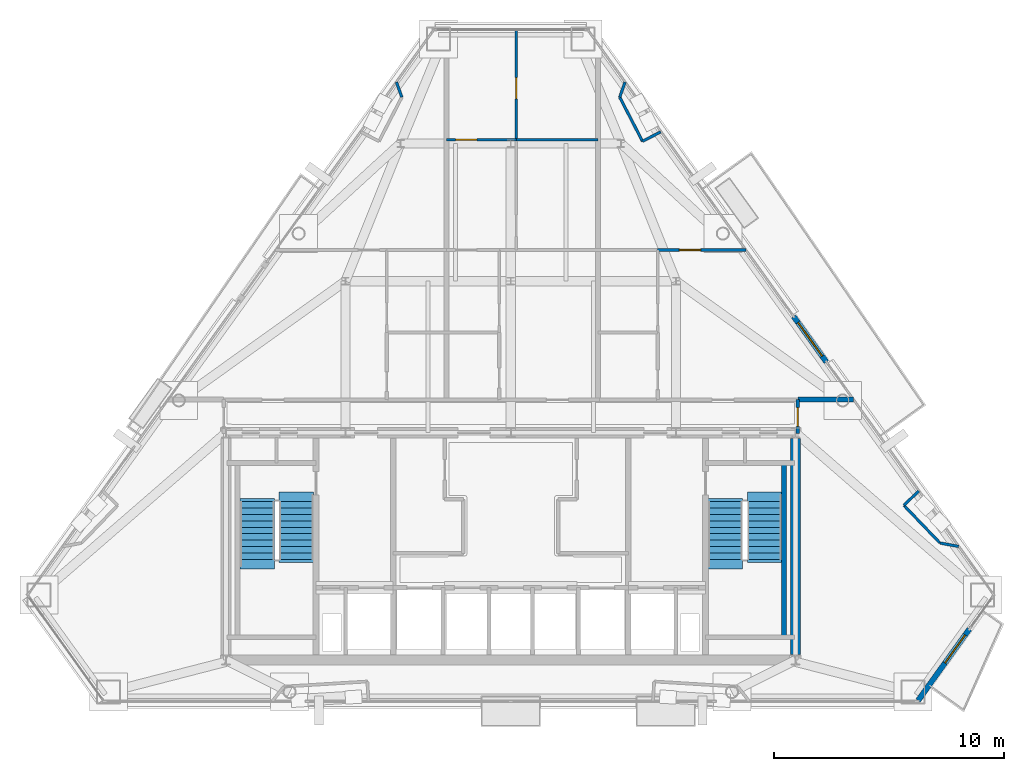
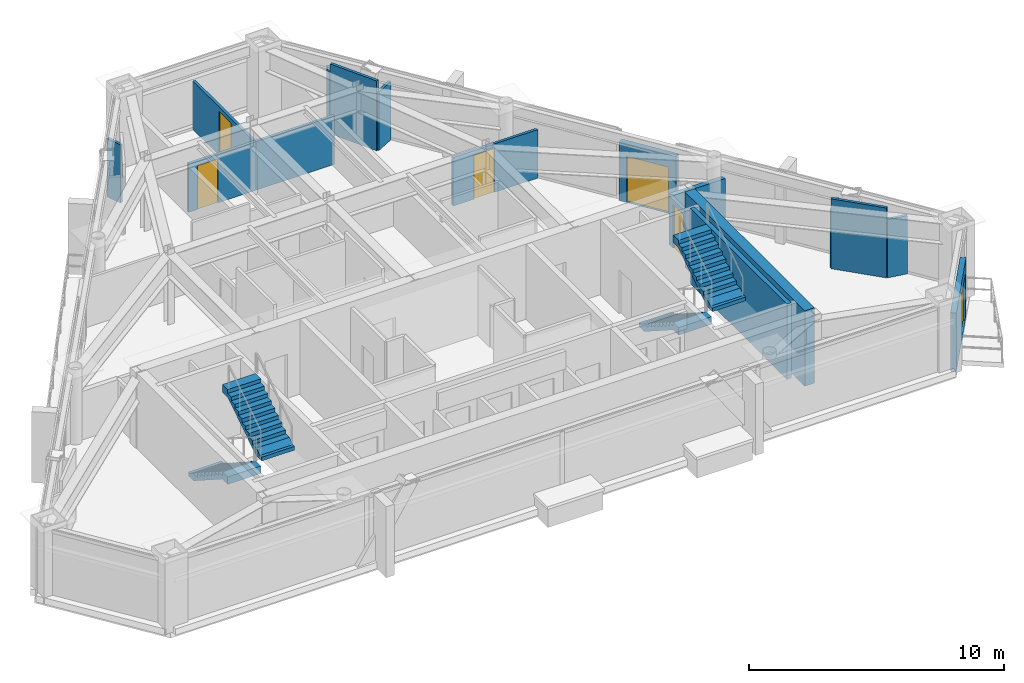
# One storey, part 9 of 11: 17 walls, 6 doors, 4 stair flights, 6 openings, 2 elements without a shape of their own.
"""IFC4 building model written with IfcOpenShell, lengths in metres."""

from ifc_helpers import new_model, si_unit, direction, frame, frame_2d, origin, place, context, subcontext, project, spatial, polyline, rectangle, outline, extrude, material, layer, layer_set, type_object, element, fill, aggregate, save


model = new_model("IFC4")

# Units and contexts
model_context = context("Model", 3, precision=1e-05, world=origin(), true_north=direction((0.0, 1.0)))
body_context = subcontext(model_context, "Body", "Model", "MODEL_VIEW")
ifc_project = project(units=[si_unit("LENGTHUNIT", "METRE"), si_unit("AREAUNIT", "SQUARE_METRE"), si_unit("VOLUMEUNIT", "CUBIC_METRE"), si_unit("PLANEANGLEUNIT", "RADIAN"), si_unit("MASSUNIT", "GRAM", prefix="KILO")], contexts=[model_context])

# Site, building, storey
site_placement = place(None, origin())
site = spatial("IfcSite", under=ifc_project, at=site_placement, CompositionType="ELEMENT")
building_placement = place(site_placement, origin())
building = spatial("IfcBuilding", under=site, at=building_placement, Name="Talgorran Terracotta Tower", CompositionType="ELEMENT")
storey_placement = place(building_placement, frame((0.0, 0.0, 214.5)))
storey = spatial("IfcBuildingStorey", under=building, at=storey_placement, Name="L56", CompositionType="ELEMENT", Elevation=214.5)

# Wall, opening, door
ifc_material_1 = material(Name="Concrete C40/50", Category="concrete")
ifc_layer_1 = layer(ifc_material_1, 0.239990234375, Name="WT_BALCONY_SPAND")
ifc_layer_set_1 = layer_set([ifc_layer_1], Name="Concrete C40/50")
wall_type_1 = type_object("IfcWallType", Name="WT_BALCONY_SPAND", PredefinedType="STANDARD", material=ifc_layer_set_1)
wall_1_placement = place(storey_placement, frame((13.747314453125, -1.119873046875, -0.014892578125), z_axis=(0.0, 0.0, 1.0), x_axis=(-0.58349791381, 0.812114637585, 0.0)))
wall_1 = element("IfcWall", 1, at=wall_1_placement, inside=storey, type_object=wall_type_1, Name="WL-L56-BALP-BAL-NE", PredefinedType="STANDARD", context=body_context, shape_type="SweptSolid", body=[
    extrude(rectangle(XDim=2.440185546875, YDim=0.239990234375, at=frame_2d((1.22021484375, 0.0))), origin(), (0.0, 0.0, 1.0), 2.802001953125),
])
opening_1_placement = place(wall_1_placement, frame((0.320068359375, 0.0, 0.014892578125)))
opening_1 = element("IfcOpeningElement", 2, at=opening_1_placement, cuts=wall_1, Name="Opening D-BAL-L56-1", PredefinedType="OPENING", context=body_context, shape_type="SweptSolid", body=[
    extrude(rectangle(XDim=1.806048828125, YDim=2.203951171875, at=frame_2d((0.89990234375, 1.10205078125))), frame((0.0, 0.1298828125, 0.0), z_axis=(0.0, -1.0, 0.0), x_axis=(1.0, 0.0, 0.0)), (0.0, 0.0, 1.0), 0.260009765625),
])
ifc_material_2 = material(Name="Thermally Broken Aluminium", Category="aluminium")
door_type_1 = type_object("IfcDoorType", Name="DT_BALC_1800", OperationType="SLIDING_TO_LEFT", PredefinedType="DOOR", material=ifc_material_2)
door_1_placement = place(opening_1_placement, origin())
door_1 = element("IfcDoor", 3, at=door_1_placement, inside=storey, type_object=door_type_1, Name="DR-L56-BAL-BAL-NE", OperationType="SLIDING_TO_LEFT", OverallHeight=2.199951171875, OverallWidth=1.800048828125, PredefinedType="DOOR", context=body_context, shape_type="SweptSolid", body=[
    extrude(rectangle(XDim=1.800048828125, YDim=2.199951171875, at=frame_2d((0.89990234375, 1.10009765625))), frame((0.0, 0.02490234375, 0.0), z_axis=(0.0, -1.0, 0.0), x_axis=(1.0, 0.0, 0.0)), (0.0, 0.0, 1.0), 0.050048828125),
])
fill(opening_1, door_1)

wall_2_placement = place(storey_placement, frame((17.7392578125, -15.8642578125, -0.014892578125), z_axis=(0.0, 0.0, 1.0), x_axis=(0.5835494265, 0.812077623649, 0.0)))
wall_2 = element("IfcWall", 4, at=wall_2_placement, inside=storey, type_object=wall_type_1, Name="WL-L56-BALP-BAL-SE", PredefinedType="STANDARD", context=body_context, shape_type="SweptSolid", body=[
    extrude(rectangle(XDim=3.8330078125, YDim=0.239990234375, at=frame_2d((1.91650390625, 0.0))), origin(), (0.0, 0.0, 1.0), 2.802001953125),
])
opening_2_placement = place(wall_2_placement, frame((2.01318359375, 0.0, 0.014892578125)))
opening_2 = element("IfcOpeningElement", 5, at=opening_2_placement, cuts=wall_2, Name="Opening D-BAL-L56-3", PredefinedType="OPENING", context=body_context, shape_type="SweptSolid", body=[
    extrude(rectangle(XDim=1.506, YDim=2.203951171875, at=frame_2d((0.75, 1.10205078125))), frame((0.0, 0.1298828125, 0.0), z_axis=(0.0, -1.0, 0.0), x_axis=(1.0, 0.0, 0.0)), (0.0, 0.0, 1.0), 0.260009765625),
])
door_type_2 = type_object("IfcDoorType", Name="DT_BALC_1500", OperationType="SLIDING_TO_RIGHT", PredefinedType="DOOR", material=ifc_material_2)
door_2_placement = place(opening_2_placement, origin())
door_2 = element("IfcDoor", 6, at=door_2_placement, inside=storey, type_object=door_type_2, Name="DR-L56-BAL-BAL-SE", OperationType="SLIDING_TO_RIGHT", OverallHeight=2.199951171875, OverallWidth=1.5, PredefinedType="DOOR", context=body_context, shape_type="SweptSolid", body=[
    extrude(rectangle(XDim=1.5, YDim=2.199951171875, at=frame_2d((0.75, 1.10009765625))), frame((0.0, 0.02490234375, 0.0), z_axis=(0.0, -1.0, 0.0), x_axis=(1.0, 0.0, 0.0)), (0.0, 0.0, 1.0), 0.050048828125),
])
fill(opening_2, door_2)

# Walls
ifc_material_3 = material(Name="Concrete C50/60", Category="concrete")
ifc_layer_2 = layer(ifc_material_3, 0.199951171875, Name="WT_CORE_200")
ifc_layer_set_2 = layer_set([ifc_layer_2], Name="Concrete C50/60")
wall_type_2 = type_object("IfcWallType", Name="WT_CORE_200", PredefinedType="SOLIDWALL", material=ifc_layer_set_2)
wall_3_placement = place(storey_placement, frame((11.89990234375, -13.10009765625, 0.0), z_axis=(0.0, 0.0, 1.0), x_axis=(0.0, 1.0, 0.0)))
element("IfcWall", 7, at=wall_3_placement, inside=storey, type_object=wall_type_2, Name="WL-L56-CW-ST2-E", PredefinedType="SOLIDWALL", context=body_context, shape_type="SweptSolid", body=[
    extrude(rectangle(XDim=7.580078125, YDim=0.199951171875, at=frame_2d((3.7900390625, 0.0))), origin(), (0.0, 0.0, 1.0), 3.60009765625),
])
ifc_material_4 = material(Name="Concrete C65/80", Category="concrete")
ifc_layer_3 = layer(ifc_material_4, 0.449951171875, Name="WT_CORE_EXT")
ifc_layer_set_3 = layer_set([ifc_layer_3], Name="Concrete C65/80")
wall_type_3 = type_object("IfcWallType", Name="WT_CORE_EXT", PredefinedType="SHEAR", material=ifc_layer_set_3)
wall_4_placement = place(storey_placement, frame((12.39990234375, -13.85009765625, 0.0), z_axis=(0.0, 0.0, 1.0), x_axis=(0.0, 1.0, 0.0)))
element("IfcWall", 8, at=wall_4_placement, inside=storey, type_object=wall_type_3, Name="WL-L56-CW-OUT-E", PredefinedType="SHEAR", context=body_context, shape_type="SweptSolid", body=[
    extrude(rectangle(XDim=9.400146484375, YDim=0.449951171875, at=frame_2d((4.7001953125, 0.0))), origin(), (0.0, 0.0, 1.0), 3.60009765625),
])

# Wall, opening, door
ifc_material_5 = material(Name="Fire-Rated Steel Stud Plasterboard", Category="steel")
ifc_layer_4 = layer(ifc_material_5, 0.14990234375, Name="WT_FIRE_150")
ifc_layer_set_4 = layer_set([ifc_layer_4], Name="Fire-Rated Steel Stud Plasterboard")
wall_type_4 = type_object("IfcWallType", Name="WT_FIRE_150", PredefinedType="PARTITIONING", material=ifc_layer_set_4)
wall_5_placement = place(storey_placement, frame((12.5, -4.239990234375, 0.0), z_axis=(0.0, 0.0, 1.0), x_axis=(0.0, 1.0, 0.0)))
wall_5 = element("IfcWall", 9, at=wall_5_placement, inside=storey, type_object=wall_type_4, Name="WL-L56-W-L56-R02", PredefinedType="PARTITIONING", context=body_context, shape_type="SweptSolid", body=[
    extrude(rectangle(XDim=1.47998046875, YDim=0.14990234375, at=frame_2d((0.739990234375, 0.0))), origin(), (0.0, 0.0, 1.0), 2.320068359375),
])
opening_3_placement = place(wall_5_placement, frame((0.31494140625, 0.0, 0.0)))
opening_3 = element("IfcOpeningElement", 10, at=opening_3_placement, cuts=wall_5, Name="Opening DR-L56-R02", PredefinedType="OPENING", context=body_context, shape_type="SweptSolid", body=[
    extrude(rectangle(XDim=0.826068359375, YDim=2.10409765625, at=frame_2d((0.41015625, 1.052001953125))), frame((0.0, 0.0849609375, 0.0), z_axis=(0.0, -1.0, 0.0), x_axis=(1.0, 0.0, 0.0)), (0.0, 0.0, 1.0), 0.169921875),
])
ifc_material_6 = material(Name="Moisture-Resistant Solid Timber", Category="wood")
door_type_3 = type_object("IfcDoorType", Name="DT_INT_820", OperationType="NOTDEFINED", PredefinedType="DOOR", material=ifc_material_6)
door_3_placement = place(opening_3_placement, origin())
door_3 = element("IfcDoor", 11, at=door_3_placement, inside=storey, type_object=door_type_3, Name="DR-L56-R02", OperationType="SINGLE_SWING_RIGHT", OverallHeight=2.10009765625, OverallWidth=0.820068359375, PredefinedType="DOOR", context=body_context, shape_type="SweptSolid", body=[
    extrude(rectangle(XDim=0.820068359375, YDim=2.10009765625, at=frame_2d((0.41015625, 1.050048828125))), frame((0.0, 0.02490234375, 0.0), z_axis=(0.0, -1.0, 0.0), x_axis=(1.0, 0.0, 0.0)), (0.0, 0.0, 1.0), 0.050048828125),
])
fill(opening_3, door_3)

# Wall
ifc_material_7 = material(Name="Acoustic Masonry and Plasterboard", Category="masonry")
ifc_layer_5 = layer(ifc_material_7, 0.219970703125, Name="WT_PARTY_220")
ifc_layer_set_5 = layer_set([ifc_layer_5], Name="Acoustic Masonry and Plasterboard")
wall_type_5 = type_object("IfcWallType", Name="WT_PARTY_220", PredefinedType="PARTITIONING", material=ifc_layer_set_5)
wall_6_placement = place(storey_placement, frame((12.5, -2.760009765625, 0.0), z_axis=(0.0, 0.0, 1.0), x_axis=(1.0, 0.0, 0.0)))
element("IfcWall", 12, at=wall_6_placement, inside=storey, type_object=wall_type_5, Name="WL-L56-W-L56-R10", PredefinedType="PARTITIONING", context=body_context, shape_type="SweptSolid", body=[
    extrude(rectangle(XDim=2.426025390625, YDim=0.219970703125, at=frame_2d((1.212890625, 0.0))), origin(), (0.0, 0.0, 1.0), 2.320068359375),
])

# Wall, opening, door
ifc_material_8 = material(Name="Insulated Steel Stud Plasterboard", Category="steel")
ifc_layer_6 = layer(ifc_material_8, 0.1201171875, Name="WT_PART_120")
ifc_layer_set_6 = layer_set([ifc_layer_6], Name="Insulated Steel Stud Plasterboard")
wall_type_6 = type_object("IfcWallType", Name="WT_PART_120", PredefinedType="PARTITIONING", material=ifc_layer_set_6)
wall_7_placement = place(storey_placement, frame((0.239990234375, 8.56005859375, 0.0), z_axis=(0.0, 0.0, 1.0), x_axis=(0.0, 1.0, 0.0)))
wall_7 = element("IfcWall", 13, at=wall_7_placement, inside=storey, type_object=wall_type_6, Name="WL-L56-W-L56-R32", PredefinedType="PARTITIONING", context=body_context, shape_type="SweptSolid", body=[
    extrude(rectangle(XDim=4.78955078125, YDim=0.1201171875, at=frame_2d((2.394775390625, 0.0))), origin(), (0.0, 0.0, 1.0), 2.320068359375),
])
opening_4_placement = place(wall_7_placement, frame((1.7861328125, 0.0, 0.0)))
opening_4 = element("IfcOpeningElement", 14, at=opening_4_placement, cuts=wall_7, Name="Opening DR-L56-R12", PredefinedType="OPENING", context=body_context, shape_type="SweptSolid", body=[
    extrude(rectangle(XDim=0.925921875, YDim=2.10409765625, at=frame_2d((0.4599609375, 1.052001953125))), frame((0.0, 0.070068359375, 0.0), z_axis=(0.0, -1.0, 0.0), x_axis=(1.0, 0.0, 0.0)), (0.0, 0.0, 1.0), 0.14013671875),
])
ifc_material_9 = material(Name="Solid-Core Painted Timber", Category="wood")
door_type_4 = type_object("IfcDoorType", Name="DT_INT_920", OperationType="NOTDEFINED", PredefinedType="DOOR", material=ifc_material_9)
door_4_placement = place(opening_4_placement, origin())
door_4 = element("IfcDoor", 15, at=door_4_placement, inside=storey, type_object=door_type_4, Name="DR-L56-R12", OperationType="SINGLE_SWING_RIGHT", OverallHeight=2.10009765625, OverallWidth=0.919921875, PredefinedType="DOOR", context=body_context, shape_type="SweptSolid", body=[
    extrude(rectangle(XDim=0.919921875, YDim=2.10009765625, at=frame_2d((0.4599609375, 1.050048828125))), frame((0.0, 0.02490234375, 0.0), z_axis=(0.0, -1.0, 0.0), x_axis=(1.0, 0.0, 0.0)), (0.0, 0.0, 1.0), 0.050048828125),
])
fill(opening_4, door_4)

wall_8_placement = place(storey_placement, frame((6.39990234375, 3.760009765625, 0.0), z_axis=(0.0, 0.0, 1.0), x_axis=(1.0, 0.0, 0.0)))
wall_8 = element("IfcWall", 16, at=wall_8_placement, inside=storey, type_object=wall_type_6, Name="WL-L56-W-L56-R38", PredefinedType="PARTITIONING", context=body_context, shape_type="SweptSolid", body=[
    extrude(rectangle(XDim=3.8408203125, YDim=0.1201171875, at=frame_2d((1.92041015625, 0.0))), origin(), (0.0, 0.0, 1.0), 2.320068359375),
])
opening_5_placement = place(wall_8_placement, frame((0.94921875, 0.0, 0.0)))
opening_5 = element("IfcOpeningElement", 17, at=opening_5_placement, cuts=wall_8, Name="Opening DR-L56-R16", PredefinedType="OPENING", context=body_context, shape_type="SweptSolid", body=[
    extrude(rectangle(XDim=0.925921875, YDim=2.10409765625, at=frame_2d((0.4599609375, 1.052001953125))), frame((0.0, 0.070068359375, 0.0), z_axis=(0.0, -1.0, 0.0), x_axis=(1.0, 0.0, 0.0)), (0.0, 0.0, 1.0), 0.14013671875),
])
door_5_placement = place(opening_5_placement, origin())
door_5 = element("IfcDoor", 18, at=door_5_placement, inside=storey, type_object=door_type_4, Name="DR-L56-R16", OperationType="SINGLE_SWING_RIGHT", OverallHeight=2.10009765625, OverallWidth=0.919921875, PredefinedType="DOOR", context=body_context, shape_type="SweptSolid", body=[
    extrude(rectangle(XDim=0.919921875, YDim=2.10009765625, at=frame_2d((0.4599609375, 1.050048828125))), frame((0.0, 0.02490234375, 0.0), z_axis=(0.0, -1.0, 0.0), x_axis=(1.0, 0.0, 0.0)), (0.0, 0.0, 1.0), 0.050048828125),
])
fill(opening_5, door_5)

# Wall
wall_9_placement = place(storey_placement, frame((0.239990234375, 8.56005859375, 0.0), z_axis=(0.0, 0.0, 1.0), x_axis=(1.0, 0.0, 0.0)))
element("IfcWall", 19, at=wall_9_placement, inside=storey, type_object=wall_type_6, Name="WL-L56-W-L56-R30", PredefinedType="PARTITIONING", context=body_context, shape_type="SweptSolid", body=[
    extrude(rectangle(XDim=3.56005859375, YDim=0.1201171875, at=frame_2d((1.780029296875, 0.0))), origin(), (0.0, 0.0, 1.0), 2.320068359375),
])

# Wall, opening, door
wall_10_placement = place(storey_placement, frame((-2.800048828125, 8.56005859375, 0.0), z_axis=(0.0, 0.0, 1.0), x_axis=(1.0, 0.0, 0.0)))
wall_10 = element("IfcWall", 20, at=wall_10_placement, inside=storey, type_object=wall_type_6, Name="WL-L56-W-L56-R29", PredefinedType="PARTITIONING", context=body_context, shape_type="SweptSolid", body=[
    extrude(rectangle(XDim=3.0400390625, YDim=0.1201171875, at=frame_2d((1.52001953125, 0.0))), origin(), (0.0, 0.0, 1.0), 2.320068359375),
])
opening_6_placement = place(wall_10_placement, frame((0.39990234375, 0.0, 0.0)))
opening_6 = element("IfcOpeningElement", 21, at=opening_6_placement, cuts=wall_10, Name="Opening DR-L56-R10", PredefinedType="OPENING", context=body_context, shape_type="SweptSolid", body=[
    extrude(rectangle(XDim=0.925921875, YDim=2.10409765625, at=frame_2d((0.4599609375, 1.052001953125))), frame((0.0, 0.070068359375, 0.0), z_axis=(0.0, -1.0, 0.0), x_axis=(1.0, 0.0, 0.0)), (0.0, 0.0, 1.0), 0.14013671875),
])
door_6_placement = place(opening_6_placement, origin())
door_6 = element("IfcDoor", 22, at=door_6_placement, inside=storey, type_object=door_type_4, Name="DR-L56-R10", OperationType="SINGLE_SWING_RIGHT", OverallHeight=2.10009765625, OverallWidth=0.919921875, PredefinedType="DOOR", context=body_context, shape_type="SweptSolid", body=[
    extrude(rectangle(XDim=0.919921875, YDim=2.10009765625, at=frame_2d((0.4599609375, 1.050048828125))), frame((0.0, 0.02490234375, 0.0), z_axis=(0.0, -1.0, 0.0), x_axis=(1.0, 0.0, 0.0)), (0.0, 0.0, 1.0), 0.050048828125),
])
fill(opening_6, door_6)

# Walls
wall_11_placement = place(storey_placement, frame((5.73779296875, 8.491943359375, 0.0), z_axis=(0.0, 0.0, 1.0), x_axis=(-0.458778031793, 0.888550908808, 0.0)))
element("IfcWall", 23, at=wall_11_placement, inside=storey, type_object=wall_type_6, Name="WL-L56-BW-L56-18", PredefinedType="PARTITIONING", context=body_context, shape_type="SweptSolid", body=[
    extrude(rectangle(XDim=2.1630859375, YDim=0.1201171875, at=frame_2d((1.08154296875, 0.0))), origin(), (0.0, 0.0, 1.0), 3.344970703125),
])
wall_12_placement = place(storey_placement, frame((18.694091796875, -9.00390625, 0.0), z_axis=(0.0, 0.0, 1.0), x_axis=(-0.691975296368, 0.721921179366, 0.0)))
element("IfcWall", 24, at=wall_12_placement, inside=storey, type_object=wall_type_6, Name="WL-L56-BW-L56-13", PredefinedType="PARTITIONING", context=body_context, shape_type="SweptSolid", body=[
    extrude(rectangle(XDim=2.274658203125, YDim=0.1201171875, at=frame_2d((1.13720703125, 0.0))), origin(), (0.0, 0.0, 1.0), 3.344970703125),
])
wall_13_placement = place(storey_placement, frame((17.1201171875, -7.36181640625, 0.0), z_axis=(0.0, 0.0, 1.0), x_axis=(0.721695363455, 0.692210807751, 0.0)))
element("IfcWall", 25, at=wall_13_placement, inside=storey, type_object=wall_type_6, Name="WL-L56-BW-L56-11", PredefinedType="PARTITIONING", context=body_context, shape_type="SweptSolid", body=[
    extrude(rectangle(XDim=0.902587890625, YDim=0.1201171875, at=frame_2d((0.451171875, 0.0))), origin(), (0.0, 0.0, 1.0), 2.787109375),
])
wall_14_placement = place(storey_placement, frame((6.532958984375, 8.902587890625, 0.0), z_axis=(0.0, 0.0, 1.0), x_axis=(-0.888513036459, -0.458851374677, 0.0)))
element("IfcWall", 26, at=wall_14_placement, inside=storey, type_object=wall_type_6, Name="WL-L56-BW-L56-17", PredefinedType="PARTITIONING", context=body_context, shape_type="SweptSolid", body=[
    extrude(rectangle(XDim=0.89501953125, YDim=0.1201171875, at=frame_2d((0.447509765625, 0.0))), origin(), (0.0, 0.0, 1.0), 2.787109375),
])
wall_15_placement = place(storey_placement, frame((19.50732421875, -9.152587890625, 0.0), z_axis=(0.0, 0.0, 1.0), x_axis=(-0.983694613694, 0.179846898751, 0.0)))
element("IfcWall", 27, at=wall_15_placement, inside=storey, type_object=wall_type_6, Name="WL-L56-BW-L56-12", PredefinedType="PARTITIONING", context=body_context, shape_type="SweptSolid", body=[
    extrude(rectangle(XDim=0.82666015625, YDim=0.1201171875, at=frame_2d((0.413330078125, 0.0))), origin(), (0.0, 0.0, 1.0), 2.787109375),
])
for number, where, z_axis, x_axis, name in (
    (28, (-4.977783203125, 11.06689453125, 0.0), (0.0, 0.0, 1.0), (0.335398863323, -0.94207621904, 0.0), "WL-L56-BW-L56-14"),
    (29, (4.745361328125, 10.4140625, 0.0), (0.0, 0.0, 1.0), (0.335398863323, 0.94207621904, 0.0), "WL-L56-BW-L56-19"),
):
    element("IfcWall", number, at=place(storey_placement, frame(where, z_axis=z_axis, x_axis=x_axis)), inside=storey, type_object=wall_type_6, Name=name, PredefinedType="PARTITIONING", context=body_context, shape_type="SweptSolid", body=[
        extrude(rectangle(XDim=0.69287109375, YDim=0.1201171875, at=frame_2d((0.346435546875, 0.0))), origin(), (0.0, 0.0, 1.0), 2.787109375),
    ])

# Stair, stair flights
stair_type = type_object("IfcStairType", Name="ST_FIRE_SCISSOR", PredefinedType="HALF_TURN_STAIR", material=ifc_material_1)
stair_1_placement = place(storey_placement, origin())
stair_1 = element("IfcStair", 30, at=stair_1_placement, inside=storey, type_object=stair_type, Name="L56 West Protected Fire Stair ST-01", PredefinedType="HALF_TURN_STAIR")
ifc_layer_7 = layer(ifc_material_1, 0.179931640625, Name="STF_RC_1500")
ifc_layer_set_7 = layer_set([ifc_layer_7], Name="Concrete C40/50")
stair_flight_type = type_object("IfcStairFlightType", Name="STF_RC_1500", PredefinedType="STRAIGHT", material=ifc_layer_set_7)
stair_flight_1_placement = place(storey_placement, frame((-11.050048828125, -7.199951171875, 0.0), z_axis=(0.0, 0.0, 1.0), x_axis=(0.0, -1.0, 0.0)))
stair_flight_1 = element("IfcStairFlight", 31, at=stair_flight_1_placement, type_object=stair_flight_type, Name="ST-01 flight 1", NumberOfRisers=10, NumberOfTreads=9, PredefinedType="STRAIGHT", RiserHeight=0.18, TreadLength=0.28, context=body_context, shape_type="SweptSolid", body=[
    extrude(outline(polyline([(-0.139892578125, 0.0), (-0.139892578125, 0.179931640625), (0.0, 0.179931640625), (0.280029296875, 0.360107421875), (0.56005859375, 0.360107421875), (0.56005859375, 0.5400390625), (0.840087890625, 0.5400390625), (0.840087890625, 0.719970703125), (1.1201171875, 0.719970703125), (1.1201171875, 0.89990234375), (1.39990234375, 0.89990234375), (1.39990234375, 1.080078125), (1.679931640625, 1.080078125), (1.679931640625, 1.260009765625), (1.9599609375, 1.260009765625), (1.9599609375, 1.43994140625), (2.239990234375, 1.43994140625), (2.239990234375, 1.6201171875), (2.52001953125, 1.6201171875), (2.52001953125, 1.800048828125), (2.93994140625, 1.800048828125), (2.93994140625, 1.44189453125), (2.52001953125, 1.44189453125), (0.277099609375, 0.0), (-0.139892578125, 0.0)])), frame((0.0, 0.75, 0.0), z_axis=(0.0, -1.0, 0.0), x_axis=(1.0, 0.0, 0.0)), (0.0, 0.0, 1.0), 1.5),
])
stair_flight_2_placement = place(storey_placement, frame((-9.35009765625, -9.719970703125, 1.800048828125), z_axis=(0.0, 0.0, 1.0), x_axis=(0.0, 1.0, 0.0)))
stair_flight_2 = element("IfcStairFlight", 32, at=stair_flight_2_placement, type_object=stair_flight_type, Name="ST-01 flight 2", NumberOfRisers=10, NumberOfTreads=9, PredefinedType="STRAIGHT", RiserHeight=0.18, TreadLength=0.28, context=body_context, shape_type="SweptSolid", body=[
    extrude(outline(polyline([(-0.139892578125, 0.0), (-0.139892578125, 0.179931640625), (0.0, 0.179931640625), (0.280029296875, 0.360107421875), (0.56005859375, 0.360107421875), (0.56005859375, 0.5400390625), (0.840087890625, 0.5400390625), (0.840087890625, 0.719970703125), (1.1201171875, 0.719970703125), (1.1201171875, 0.89990234375), (1.39990234375, 0.89990234375), (1.39990234375, 1.080078125), (1.679931640625, 1.080078125), (1.679931640625, 1.260009765625), (1.9599609375, 1.260009765625), (1.9599609375, 1.43994140625), (2.239990234375, 1.43994140625), (2.239990234375, 1.6201171875), (2.52001953125, 1.6201171875), (2.52001953125, 1.800048828125), (2.93994140625, 1.800048828125), (2.93994140625, 1.44189453125), (2.52001953125, 1.44189453125), (0.277099609375, 0.0), (-0.139892578125, 0.0)])), frame((0.0, 0.75, 0.0), z_axis=(0.0, -1.0, 0.0), x_axis=(1.0, 0.0, 0.0)), (0.0, 0.0, 1.0), 1.5),
])
aggregate(stair_1, [stair_flight_1, stair_flight_2])

stair_2_placement = place(storey_placement, origin())
stair_2 = element("IfcStair", 33, at=stair_2_placement, inside=storey, type_object=stair_type, Name="L56 East Protected Fire Stair ST-02", PredefinedType="HALF_TURN_STAIR")
stair_flight_3_placement = place(storey_placement, frame((9.35009765625, -7.199951171875, 0.0), z_axis=(0.0, 0.0, 1.0), x_axis=(0.0, -1.0, 0.0)))
stair_flight_3 = element("IfcStairFlight", 34, at=stair_flight_3_placement, type_object=stair_flight_type, Name="ST-02 flight 1", NumberOfRisers=10, NumberOfTreads=9, PredefinedType="STRAIGHT", RiserHeight=0.18, TreadLength=0.28, context=body_context, shape_type="SweptSolid", body=[
    extrude(outline(polyline([(-0.139892578125, 0.0), (-0.139892578125, 0.179931640625), (0.0, 0.179931640625), (0.280029296875, 0.360107421875), (0.56005859375, 0.360107421875), (0.56005859375, 0.5400390625), (0.840087890625, 0.5400390625), (0.840087890625, 0.719970703125), (1.1201171875, 0.719970703125), (1.1201171875, 0.89990234375), (1.39990234375, 0.89990234375), (1.39990234375, 1.080078125), (1.679931640625, 1.080078125), (1.679931640625, 1.260009765625), (1.9599609375, 1.260009765625), (1.9599609375, 1.43994140625), (2.239990234375, 1.43994140625), (2.239990234375, 1.6201171875), (2.52001953125, 1.6201171875), (2.52001953125, 1.800048828125), (2.93994140625, 1.800048828125), (2.93994140625, 1.44189453125), (2.52001953125, 1.44189453125), (0.277099609375, 0.0), (-0.139892578125, 0.0)])), frame((0.0, 0.75, 0.0), z_axis=(0.0, -1.0, 0.0), x_axis=(1.0, 0.0, 0.0)), (0.0, 0.0, 1.0), 1.5),
])
stair_flight_4_placement = place(storey_placement, frame((11.050048828125, -9.719970703125, 1.800048828125), z_axis=(0.0, 0.0, 1.0), x_axis=(0.0, 1.0, 0.0)))
stair_flight_4 = element("IfcStairFlight", 35, at=stair_flight_4_placement, type_object=stair_flight_type, Name="ST-02 flight 2", NumberOfRisers=10, NumberOfTreads=9, PredefinedType="STRAIGHT", RiserHeight=0.18, TreadLength=0.28, context=body_context, shape_type="SweptSolid", body=[
    extrude(outline(polyline([(-0.139892578125, 0.0), (-0.139892578125, 0.179931640625), (0.0, 0.179931640625), (0.280029296875, 0.360107421875), (0.56005859375, 0.360107421875), (0.56005859375, 0.5400390625), (0.840087890625, 0.5400390625), (0.840087890625, 0.719970703125), (1.1201171875, 0.719970703125), (1.1201171875, 0.89990234375), (1.39990234375, 0.89990234375), (1.39990234375, 1.080078125), (1.679931640625, 1.080078125), (1.679931640625, 1.260009765625), (1.9599609375, 1.260009765625), (1.9599609375, 1.43994140625), (2.239990234375, 1.43994140625), (2.239990234375, 1.6201171875), (2.52001953125, 1.6201171875), (2.52001953125, 1.800048828125), (2.93994140625, 1.800048828125), (2.93994140625, 1.44189453125), (2.52001953125, 1.44189453125), (0.277099609375, 0.0), (-0.139892578125, 0.0)])), frame((0.0, 0.75, 0.0), z_axis=(0.0, -1.0, 0.0), x_axis=(1.0, 0.0, 0.0)), (0.0, 0.0, 1.0), 1.5),
])
aggregate(stair_2, [stair_flight_3, stair_flight_4])

save(model, "model.ifc")
